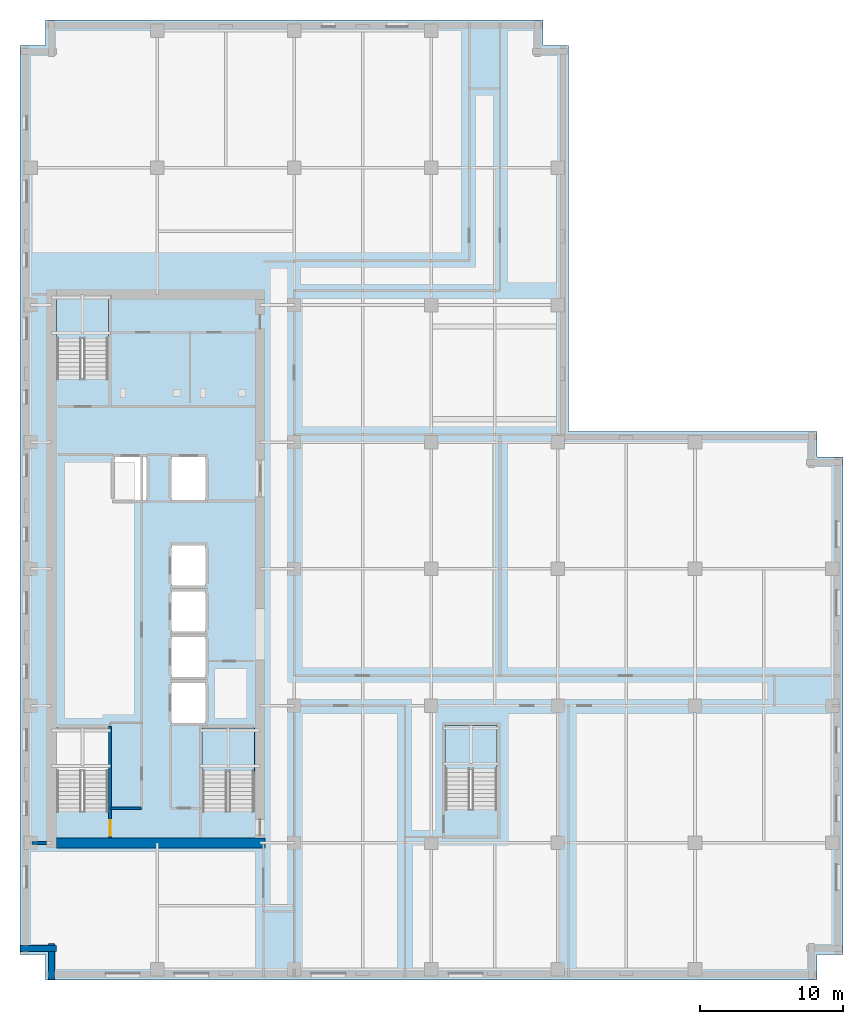
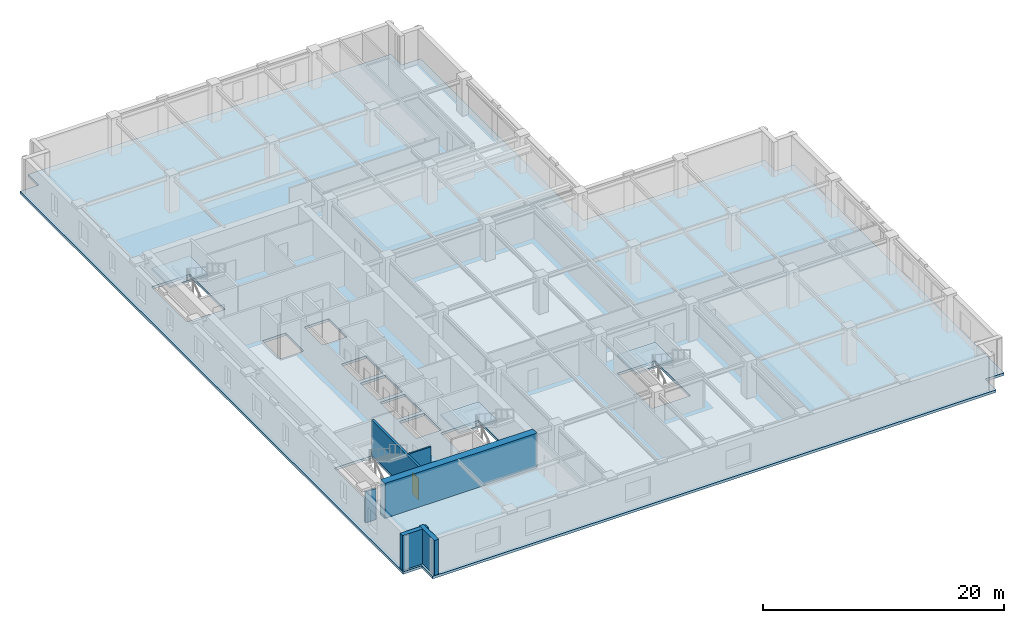
# One storey, part 3 of 13: 6 walls, 4 slabs, 1 door, 1 opening, 3 elements without a shape of their own.
"""IFC4 building model written with IfcOpenShell, lengths in metres."""

from ifc_helpers import new_model, si_unit, direction, frame, frame_2d, origin, place, context, subcontext, project, spatial, polyline, rectangle, outline, extrude, material, layer, layer_set, type_object, element, fill, aggregate, save


model = new_model("IFC4")

# Units and contexts
model_context = context("Model", 3, precision=1e-05, world=origin(), true_north=direction((0.0, 1.0)))
body_context = subcontext(model_context, "Body", "Model", "MODEL_VIEW")
ifc_project = project(units=[si_unit("LENGTHUNIT", "METRE"), si_unit("AREAUNIT", "SQUARE_METRE"), si_unit("VOLUMEUNIT", "CUBIC_METRE"), si_unit("PLANEANGLEUNIT", "RADIAN"), si_unit("MASSUNIT", "GRAM", prefix="KILO")], contexts=[model_context])

# Site, building, storey
site_placement = place(None, origin())
site = spatial("IfcSite", under=ifc_project, at=site_placement, CompositionType="ELEMENT")
building_placement = place(site_placement, origin())
building = spatial("IfcBuilding", under=site, at=building_placement, Name="Norrvale University Quadrangle", CompositionType="ELEMENT")
storey_placement = place(building_placement, frame((0.0, 0.0, 163.60009765625)))
storey = spatial("IfcBuildingStorey", under=building, at=storey_placement, Name="L41", CompositionType="ELEMENT", Elevation=163.60009765625)

# Stair, slab
ifc_material_1 = material(Name="Concrete C40/50", Category="concrete")
stair_type = type_object("IfcStairType", Name="Stair Tower Typ 3800", PredefinedType="TWO_STRAIGHT_RUN_STAIR", material=ifc_material_1)
stair_1_placement = place(storey_placement, origin())
stair_1 = element("IfcStair", 1, at=stair_1_placement, inside=storey, type_object=stair_type, Name="Exit Stair ST-02 L41", PredefinedType="TWO_STRAIGHT_RUN_STAIR")
ifc_layer_1 = layer(ifc_material_1, 0.199951171875, Name="Concrete C40/50")
ifc_layer_set_1 = layer_set([ifc_layer_1], Name="Concrete C40/50")
slab_type_1 = type_object("IfcSlabType", Name="Slab Landing 200", PredefinedType="LANDING", material=ifc_layer_set_1)
slab_1_placement = place(storey_placement, frame((0.0, 0.0, 1.699951171875)))
slab_1 = element("IfcSlab", 2, at=slab_1_placement, type_object=slab_type_1, Name="Exit Stair ST-02 L41 Mid Landing", PredefinedType="LANDING", context=body_context, shape_type="SweptSolid", body=[
    extrude(outline(polyline([(2.550048828125, 44.889892578125), (6.199951171875, 44.889892578125), (6.199951171875, 47.949951171875), (2.550048828125, 47.949951171875), (2.550048828125, 44.889892578125)])), origin(), (0.0, 0.0, 1.0), 0.199951171875),
])
aggregate(stair_1, [slab_1])

stair_2_placement = place(storey_placement, origin())
stair_2 = element("IfcStair", 3, at=stair_2_placement, inside=storey, type_object=stair_type, Name="Exit Stair ST-03 L41", PredefinedType="TWO_STRAIGHT_RUN_STAIR")
slab_2_placement = place(storey_placement, frame((0.0, 0.0, 1.699951171875)))
slab_2 = element("IfcSlab", 4, at=slab_2_placement, type_object=slab_type_1, Name="Exit Stair ST-03 L41 Mid Landing", PredefinedType="LANDING", context=body_context, shape_type="SweptSolid", body=[
    extrude(outline(polyline([(12.75, 14.590087890625), (16.39990234375, 14.590087890625), (16.39990234375, 17.64990234375), (12.75, 17.64990234375), (12.75, 14.590087890625)])), origin(), (0.0, 0.0, 1.0), 0.199951171875),
])
aggregate(stair_2, [slab_2])

stair_3_placement = place(storey_placement, origin())
stair_3 = element("IfcStair", 5, at=stair_3_placement, inside=storey, type_object=stair_type, Name="Exit Stair ST-04 L41", PredefinedType="TWO_STRAIGHT_RUN_STAIR")
slab_3_placement = place(storey_placement, frame((0.0, 0.0, 1.699951171875)))
slab_3 = element("IfcSlab", 6, at=slab_3_placement, type_object=slab_type_1, Name="Exit Stair ST-04 L41 Mid Landing", PredefinedType="LANDING", context=body_context, shape_type="SweptSolid", body=[
    extrude(outline(polyline([(29.75, 14.739990234375), (33.39990234375, 14.739990234375), (33.39990234375, 17.800048828125), (29.75, 17.800048828125), (29.75, 14.739990234375)])), origin(), (0.0, 0.0, 1.0), 0.199951171875),
])
aggregate(stair_3, [slab_3])

# Slab
ifc_layer_2 = layer(ifc_material_1, 0.260009765625, Name="Concrete C40/50")
ifc_layer_set_2 = layer_set([ifc_layer_2], Name="Concrete C40/50")
slab_type_2 = type_object("IfcSlabType", Name="Slab Tower Typ 260", PredefinedType="FLOOR", material=ifc_layer_set_2)
slab_4_placement = place(storey_placement, frame((0.0, 0.0, -0.260009765625)))
element("IfcSlab", 7, at=slab_4_placement, inside=storey, type_object=slab_type_2, Name="Tower L41 Floor Slab", PredefinedType="FLOOR", context=body_context, shape_type="SweptSolid", body=[
    extrude(outline(polyline([(1.800048828125, 0.0), (55.800048828125, 0.0), (55.800048828125, 1.800048828125), (57.60009765625, 1.800048828125), (57.60009765625, 36.60009765625), (55.800048828125, 36.60009765625), (55.800048828125, 38.39990234375), (38.39990234375, 38.39990234375), (38.39990234375, 65.39990234375), (36.60009765625, 65.39990234375), (36.60009765625, 67.199951171875), (1.800048828125, 67.199951171875), (1.800048828125, 65.39990234375), (0.0, 65.39990234375), (0.0, 1.800048828125), (1.800048828125, 1.800048828125), (1.800048828125, 0.0)]), holes=[polyline([(2.550048828125, 11.81005859375), (6.199951171875, 11.81005859375), (6.199951171875, 17.64990234375), (2.550048828125, 17.64990234375), (2.550048828125, 11.81005859375)]), polyline([(2.550048828125, 42.110107421875), (6.199951171875, 42.110107421875), (6.199951171875, 47.949951171875), (2.550048828125, 47.949951171875), (2.550048828125, 42.110107421875)]), polyline([(12.75, 11.81005859375), (16.39990234375, 11.81005859375), (16.39990234375, 17.64990234375), (12.75, 17.64990234375), (12.75, 11.81005859375)]), polyline([(29.75, 11.9599609375), (33.39990234375, 11.9599609375), (33.39990234375, 17.800048828125), (29.75, 17.800048828125), (29.75, 11.9599609375)]), polyline([(10.60009765625, 18.0), (13.0, 18.0), (13.0, 20.800048828125), (10.60009765625, 20.800048828125), (10.60009765625, 18.0)]), polyline([(10.60009765625, 21.199951171875), (13.0, 21.199951171875), (13.0, 24.0), (10.60009765625, 24.0), (10.60009765625, 21.199951171875)]), polyline([(10.60009765625, 24.39990234375), (13.0, 24.39990234375), (13.0, 27.199951171875), (10.60009765625, 27.199951171875), (10.60009765625, 24.39990234375)]), polyline([(10.60009765625, 27.60009765625), (13.0, 27.60009765625), (13.0, 30.39990234375), (10.60009765625, 30.39990234375), (10.60009765625, 27.60009765625)]), polyline([(6.60009765625, 33.60009765625), (8.85009765625, 33.60009765625), (8.85009765625, 36.60009765625), (6.60009765625, 36.60009765625), (6.60009765625, 33.60009765625)]), polyline([(10.60009765625, 33.60009765625), (13.0, 33.60009765625), (13.0, 36.60009765625), (10.60009765625, 36.60009765625), (10.60009765625, 33.60009765625)])]), origin(), (0.0, 0.0, 1.0), 0.260009765625),
])

# Walls
ifc_material_2 = material(Name="Buff Norman Clay Brick Masonry", Category="masonry")
ifc_layer_3 = layer(ifc_material_2, 0.419921875, Name="Buff Norman Clay Brick Masonry")
ifc_layer_set_3 = layer_set([ifc_layer_3], Name="Buff Norman Clay Brick Masonry")
wall_type_1 = type_object("IfcWallType", Name="Wall Buff Brick 420", PredefinedType="SOLIDWALL", material=ifc_layer_set_3)
for number, where, z_axis, x_axis, name in (
    (8, (0.0400390625, 2.18994140625, 0.0), (0.0, 0.0, 1.0), (1.0, 0.0, 0.0), "Exterior Brick Facade Wall L41-15.1"),
    (9, (2.18994140625, 2.5400390625, 0.0), (0.0, 0.0, 1.0), (0.0, -1.0, 0.0), "Exterior Brick Facade Wall L41-16.1"),
):
    element("IfcWall", number, at=place(storey_placement, frame(where, z_axis=z_axis, x_axis=x_axis)), inside=storey, type_object=wall_type_1, Name=name, PredefinedType="SOLIDWALL", context=body_context, shape_type="SweptSolid", body=[
        extrude(rectangle(XDim=2.5, YDim=0.419921875, at=frame_2d((1.25, 0.0))), origin(), (0.0, 0.0, 1.0), 3.539794921875),
    ])
ifc_material_3 = material(Name="Concrete C60/75", Category="concrete")
ifc_layer_4 = layer(ifc_material_3, 0.699951171875, Name="Concrete C60/75")
ifc_layer_set_4 = layer_set([ifc_layer_4], Name="Concrete C60/75")
wall_type_2 = type_object("IfcWallType", Name="Wall Core 700", PredefinedType="SHEAR", material=ifc_layer_set_4)
wall_1_placement = place(storey_placement, frame((2.550048828125, 9.60009765625, 0.0), z_axis=(0.0, 0.0, 1.0), x_axis=(1.0, 0.0, 0.0)))
element("IfcWall", 10, at=wall_1_placement, inside=storey, type_object=wall_type_2, Name="Tower Core Shear Wall L41-S", PredefinedType="SHEAR", context=body_context, shape_type="SweptSolid", body=[
    extrude(rectangle(XDim=14.599853515625, YDim=0.699951171875, at=frame_2d((7.2998046875, 0.0))), origin(), (0.0, 0.0, 1.0), 3.539794921875),
])
ifc_material_4 = material(Name="Fire-Rated Gypsum Stud Partition")
ifc_layer_5 = layer(ifc_material_4, 0.14990234375, Name="Fire-Rated Gypsum Stud Partition")
ifc_layer_set_5 = layer_set([ifc_layer_5], Name="Fire-Rated Gypsum Stud Partition")
wall_type_3 = type_object("IfcWallType", Name="Wall Gypsum Corridor 150", PredefinedType="PARTITIONING", material=ifc_layer_set_5)
wall_2_placement = place(storey_placement, frame((6.320068359375, 12.02001953125, 0.0), z_axis=(0.0, 0.0, 1.0), x_axis=(1.0, 0.0, 0.0)))
element("IfcWall", 11, at=wall_2_placement, inside=storey, type_object=wall_type_3, Name="Interior Partition WL-L41-REC-S", PredefinedType="PARTITIONING", context=body_context, shape_type="SweptSolid", body=[
    extrude(rectangle(XDim=2.199951171875, YDim=0.14990234375, at=frame_2d((1.10009765625, 0.0))), origin(), (0.0, 0.0, 1.0), 3.539794921875),
])
ifc_material_5 = material(Name="Concrete Blockwork 20 MPa Rated Wall", Category="masonry")
ifc_layer_6 = layer(ifc_material_5, 0.199951171875, Name="Concrete Blockwork 20 MPa Rated Wall")
ifc_layer_set_6 = layer_set([ifc_layer_6], Name="Concrete Blockwork 20 MPa Rated Wall")
wall_type_4 = type_object("IfcWallType", Name="Wall Lobby 200", PredefinedType="SOLIDWALL", material=ifc_layer_set_6)
wall_3_placement = place(storey_placement, frame((0.85009765625, 9.60009765625, 0.0), z_axis=(0.0, 0.0, 1.0), x_axis=(1.0, 0.0, 0.0)))
element("IfcWall", 12, at=wall_3_placement, inside=storey, type_object=wall_type_4, Name="Interior Partition WL-L41-CWRET-S", PredefinedType="SOLIDWALL", context=body_context, shape_type="SweptSolid", body=[
    extrude(rectangle(XDim=0.994873046875, YDim=0.199951171875, at=frame_2d((0.49755859375, 0.0))), origin(), (0.0, 0.0, 1.0), 3.122802734375),
])

# Wall, opening, door
ifc_material_6 = material(Name="Concrete Blockwork 20 MPa Fire Shaft", Category="masonry")
ifc_layer_7 = layer(ifc_material_6, 0.219970703125, Name="Concrete Blockwork 20 MPa Fire Shaft")
ifc_layer_set_7 = layer_set([ifc_layer_7], Name="Concrete Blockwork 20 MPa Fire Shaft")
wall_type_5 = type_object("IfcWallType", Name="Wall Shaft 220", PredefinedType="SOLIDWALL", material=ifc_layer_set_7)
wall_4_placement = place(storey_placement, frame((6.31005859375, 9.949951171875, 0.0), z_axis=(0.0, 0.0, 1.0), x_axis=(0.0, 1.0, 0.0)))
wall_4 = element("IfcWall", 13, at=wall_4_placement, inside=storey, type_object=wall_type_5, Name="Stair ST-01 East Shaft Wall L41", PredefinedType="SOLIDWALL", context=body_context, shape_type="SweptSolid", body=[
    extrude(rectangle(XDim=7.81005859375, YDim=0.219970703125, at=frame_2d((3.905029296875, 0.0))), origin(), (0.0, 0.0, 1.0), 3.539794921875),
])
opening_placement = place(wall_4_placement, frame((0.139892578125, 0.0, 0.0)))
opening = element("IfcOpeningElement", 14, at=opening_placement, cuts=wall_4, Name="Opening D02", PredefinedType="OPENING", context=body_context, shape_type="SweptSolid", body=[
    extrude(rectangle(XDim=1.10009765625, YDim=2.199951171875, at=frame_2d((0.550048828125, 1.10009765625))), frame((0.0, 0.1220703125, 0.0), z_axis=(0.0, -1.0, 0.0), x_axis=(1.0, 0.0, 0.0)), (0.0, 0.0, 1.0), 0.243896484375),
])
ifc_material_7 = material(Name="Hollow Steel 350W Fire Door", Category="steel")
door_type = type_object("IfcDoorType", Name="Door Stair Exit 1100x2200", OperationType="NOTDEFINED", PredefinedType="DOOR", material=ifc_material_7)
door_placement = place(opening_placement, origin())
door = element("IfcDoor", 15, at=door_placement, inside=storey, type_object=door_type, Name="Door Stair Exit 1100x2200 DR-L41-ST01", OperationType="SINGLE_SWING_LEFT", OverallHeight=2.199951171875, OverallWidth=1.10009765625, PredefinedType="DOOR", context=body_context, shape_type="SweptSolid", body=[
    extrude(rectangle(XDim=1.10009765625, YDim=2.199951171875, at=frame_2d((0.550048828125, 1.10009765625))), frame((0.0, 0.02490234375, 0.0), z_axis=(0.0, -1.0, 0.0), x_axis=(1.0, 0.0, 0.0)), (0.0, 0.0, 1.0), 0.050048828125),
])
fill(opening, door)

save(model, "model.ifc")
